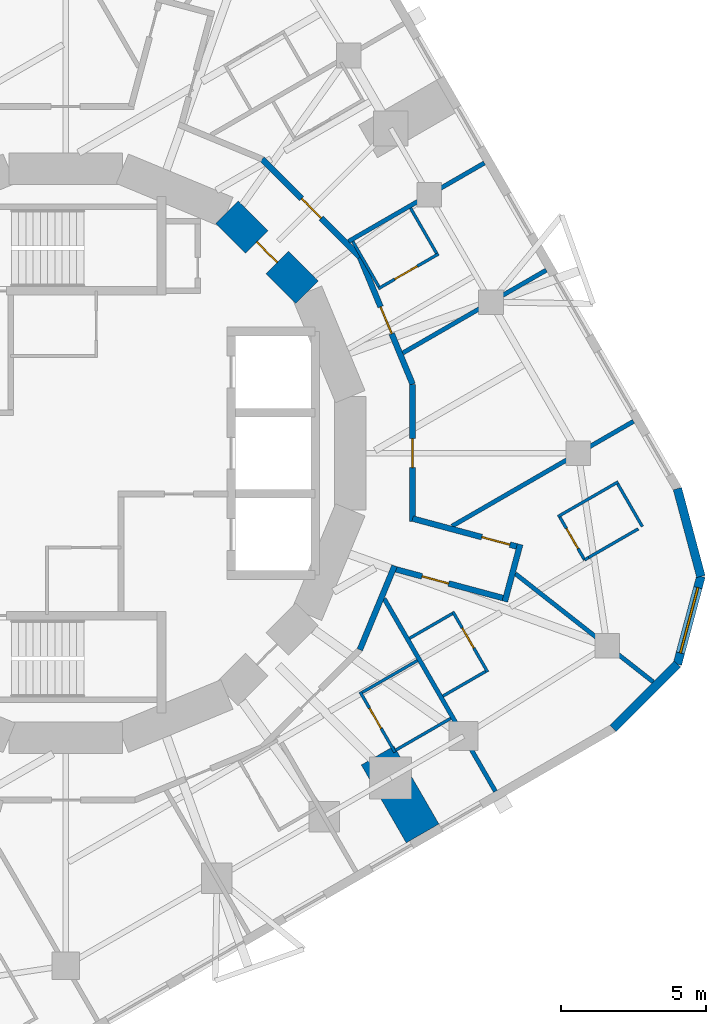
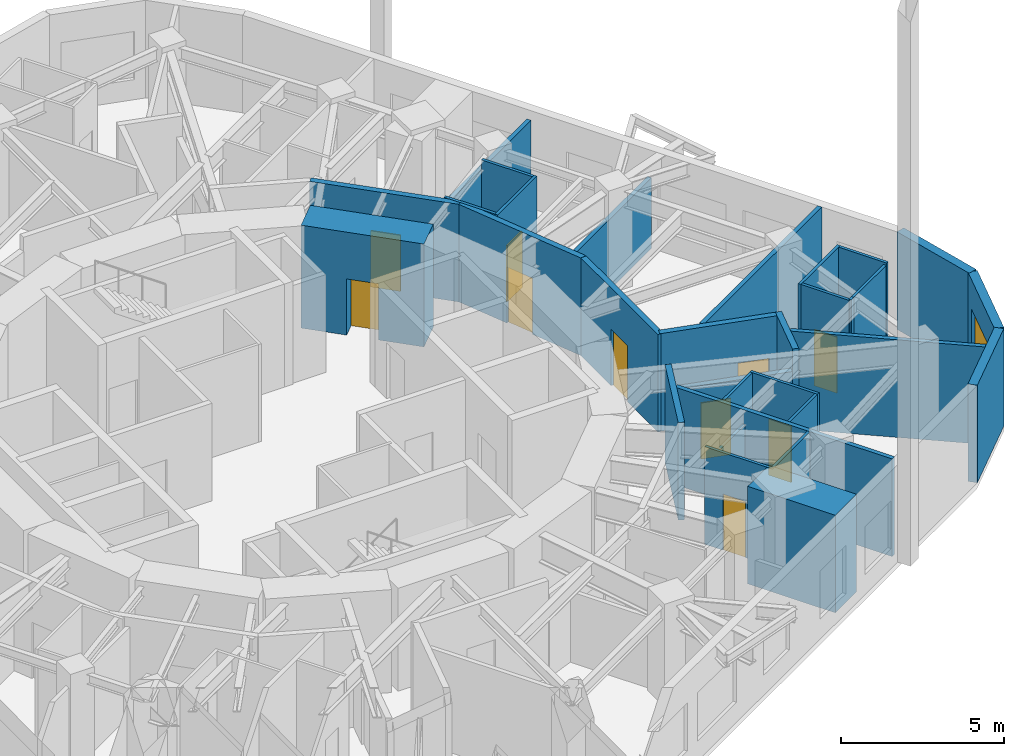
# One storey, part 7 of 10: 31 walls, 10 doors, 1 window, 11 openings.
"""IFC4 building model written with IfcOpenShell, lengths in metres."""

import ifcopenshell
import ifcopenshell.guid

model = None  # the IFC model being written
_history = None  # IfcOwnerHistory: only IFC2X3 demands one
_inside = {}  # id of a spatial element -> (the spatial element, [elements in it])
_under = {}  # id of a project, library or spatial element -> (it, [spatial elements below it])
_declared = {}  # id of a project -> (the project, [libraries it declares])
_typed = {}  # id of a type object -> (the type object, [elements of that type])
_made_of = {}  # id of a material, layer set ... -> (it, [elements and type objects made of it])


def new_model(schema):
    """Start an empty IFC model of exactly this schema.

    Asked for "IFC4X3", IfcOpenShell would pick the latest addendum, in which some entities
    have other attributes; the version numbers below select the first issue.
    IFC2X3 requires an IfcOwnerHistory on every rooted entity: one is made here for all.
    """
    global model, _history
    if schema == "IFC4X3":
        model = ifcopenshell.file(schema_version=(4, 3, 0, 0))
    else:
        model = ifcopenshell.file(schema=schema)
    _inside.clear()
    _under.clear()
    _declared.clear()
    _typed.clear()
    _made_of.clear()
    _history = None
    if model.schema == "IFC2X3":
        org = make("IfcOrganization", Name="unknown")
        user = make(
            "IfcPersonAndOrganization",
            ThePerson=make("IfcPerson", FamilyName="unknown"),
            TheOrganization=org,
        )
        app = make(
            "IfcApplication",
            ApplicationDeveloper=org,
            Version="unknown",
            ApplicationFullName="unknown",
            ApplicationIdentifier="unknown",
        )
        _history = make(
            "IfcOwnerHistory",
            OwningUser=user,
            OwningApplication=app,
            ChangeAction="ADDED",
            CreationDate=0,
        )
    return model


def make(cls, **values):
    """One entity of the class cls with the attributes given. An attribute that is None is left unset."""
    return model.create_entity(
        cls, **{name: value for name, value in values.items() if value is not None}
    )


def rooted(cls, **values):
    """An entity with a GlobalId (a new one), such as an element, a storey or a relation."""
    return make(cls, GlobalId=ifcopenshell.guid.new(), OwnerHistory=_history, **values)


def si_unit(unit_type, name, prefix=None):
    """IfcSIUnit, for example si_unit("LENGTHUNIT", "METRE", prefix="MILLI")."""
    return make("IfcSIUnit", UnitType=unit_type, Prefix=prefix, Name=name)


def assignment(units):
    """IfcUnitAssignment: the units of a project."""
    return None if units is None else make("IfcUnitAssignment", Units=units)


def point(xyz):
    """IfcCartesianPoint."""
    return None if xyz is None else make("IfcCartesianPoint", Coordinates=xyz)


def direction(xyz):
    """IfcDirection."""
    return None if xyz is None else make("IfcDirection", DirectionRatios=xyz)


def frame(location, z_axis=None, x_axis=None):
    """IfcAxis2Placement3D, a coordinate frame: its origin and axes. An axis left out is left unset."""
    return make(
        "IfcAxis2Placement3D",
        Location=point(location),
        Axis=direction(z_axis),
        RefDirection=direction(x_axis),
    )


def frame_2d(location, x_axis=None):
    """IfcAxis2Placement2D, a coordinate frame in the plane: its origin and x axis."""
    return make(
        "IfcAxis2Placement2D", Location=point(location), RefDirection=direction(x_axis)
    )


def origin():
    """The frame at (0, 0, 0) with its axes left unset."""
    return frame((0.0, 0.0, 0.0))


def place(relative_to, where):
    """IfcLocalPlacement: puts the frame where relative to a parent placement (None: the world)."""
    return make(
        "IfcLocalPlacement", PlacementRelTo=relative_to, RelativePlacement=where
    )


def context(
    kind, dimensions, precision=None, world=None, true_north=None, identifier=None
):
    """IfcGeometricRepresentationContext, for example the 3D "Model" context."""
    return make(
        "IfcGeometricRepresentationContext",
        ContextIdentifier=identifier,
        ContextType=kind,
        CoordinateSpaceDimension=dimensions,
        Precision=precision,
        WorldCoordinateSystem=world,
        TrueNorth=true_north,
    )


def subcontext(parent, identifier, kind, view, scale=None):
    """IfcGeometricRepresentationSubContext, for example "Body" below "Model"."""
    return make(
        "IfcGeometricRepresentationSubContext",
        ContextIdentifier=identifier,
        ContextType=kind,
        ParentContext=parent,
        TargetScale=scale,
        TargetView=view,
    )


def project(units=None, contexts=None):
    """IfcProject with its units and contexts."""
    return rooted(
        "IfcProject",
        Name="project",
        RepresentationContexts=contexts,
        UnitsInContext=assignment(units),
    )


def spatial(cls, under=None, at=None, **own):
    """A site, building, storey or space (cls), placed at a placement, below another one or the project."""
    s = rooted(cls, ObjectPlacement=at, **own)
    if under is not None:
        _under.setdefault(under.id(), (under, []))[1].append(s)
    return s


def profile(cls, at=None, kind="AREA", **sizes):
    """A parametric profile (cls). Its sizes go by their IFC names, for example OverallWidth=200.0."""
    return make(cls, ProfileType=kind, Position=at, **sizes)


def rectangle(**sizes):
    """IfcRectangleProfileDef."""
    return profile("IfcRectangleProfileDef", **sizes)


def extrude(swept, where, along, depth):
    """IfcExtrudedAreaSolid: the profile swept, set in the frame where, extruded along a direction by depth."""
    return make(
        "IfcExtrudedAreaSolid",
        SweptArea=swept,
        Position=where,
        ExtrudedDirection=direction(along),
        Depth=depth,
    )


def shape(context_of_items, identifier, shape_type, items):
    """IfcShapeRepresentation: the items that make up one representation, for example the "Body"."""
    return make(
        "IfcShapeRepresentation",
        ContextOfItems=context_of_items,
        RepresentationIdentifier=identifier,
        RepresentationType=shape_type,
        Items=items,
    )


def material(Name=None, Category=None):
    """IfcMaterial."""
    return make("IfcMaterial", Name=Name, Category=Category)


def layer(
    of_material, thickness, ventilated=None, Name=None, Category=None, Priority=None
):
    """IfcMaterialLayer: one layer of a wall or slab, of a material (None: an air gap)."""
    return make(
        "IfcMaterialLayer",
        Material=of_material,
        LayerThickness=thickness,
        IsVentilated=ventilated,
        Name=Name,
        Category=Category,
        Priority=Priority,
    )


def layer_set(layers, Name=None):
    """IfcMaterialLayerSet."""
    return make("IfcMaterialLayerSet", MaterialLayers=layers, LayerSetName=Name)


def made_of(thing, what):
    """Note that an element or type object is made of a material, layer set ...; save() writes the relation."""
    if what is not None:
        _made_of.setdefault(what.id(), (what, []))[1].append(thing)
    return thing


def type_object(cls, material=None, **own):
    """A type object (cls), such as IfcWallType, which elements share."""
    return made_of(rooted(cls, **own), material)


def element(
    cls,
    number,
    at=None,
    inside=None,
    cuts=None,
    type_object=None,
    material=None,
    context=None,
    identifier="Body",
    shape_type=None,
    held_by="IfcProductDefinitionShape",
    body=None,
    shapes=None,
    **own,
):
    """One element of the class cls, such as IfcWall. Its Tag is "e" and its number.

    at: its placement. inside: the storey or other place that contains it. cuts: it is an
    opening in that element (IfcRelVoidsElement). A single representation is given by context,
    identifier, shape_type and body (its items); several are given by shapes. held_by: the class
    of the entity that holds the representations. save() writes the other relations.
    """
    e = rooted(cls, Tag="e%d" % number, ObjectPlacement=at, **own)
    if body is not None:
        shapes = [shape(context, identifier, shape_type, body)]
    if shapes is not None:
        e.Representation = make(held_by, Representations=shapes)
    if inside is not None:
        _inside.setdefault(inside.id(), (inside, []))[1].append(e)
    if cuts is not None:
        rooted(
            "IfcRelVoidsElement", RelatingBuildingElement=cuts, RelatedOpeningElement=e
        )
    if type_object is not None:
        _typed.setdefault(type_object.id(), (type_object, []))[1].append(e)
    return made_of(e, material)


def fill(opening, filler):
    """IfcRelFillsElement: the door or window that sits in an opening."""
    return rooted(
        "IfcRelFillsElement",
        RelatingOpeningElement=opening,
        RelatedBuildingElement=filler,
    )


def aggregate(whole, parts):
    """IfcRelAggregates: a whole, such as a stair, and the parts it consists of."""
    return rooted("IfcRelAggregates", RelatingObject=whole, RelatedObjects=parts)


def save(model, path):
    """Write the relations noted so far, then the file.

    IfcRelAggregates (storeys below a building ...), IfcRelContainedInSpatialStructure (elements
    in a storey), IfcRelDefinesByType, IfcRelAssociatesMaterial and IfcRelDeclares: one each for
    every whole, place, type object, material and project.
    """
    for whole, parts in _under.values():
        aggregate(whole, parts)
    for where, things in _inside.values():
        rooted(
            "IfcRelContainedInSpatialStructure",
            RelatedElements=things,
            RelatingStructure=where,
        )
    for kind, things in _typed.values():
        rooted("IfcRelDefinesByType", RelatedObjects=things, RelatingType=kind)
    for what, things in _made_of.values():
        rooted("IfcRelAssociatesMaterial", RelatedObjects=things, RelatingMaterial=what)
    for by, libraries in _declared.values():
        rooted("IfcRelDeclares", RelatingContext=by, RelatedDefinitions=libraries)
    model.write(path)


model = new_model("IFC4")

# Units and contexts
model_context = context("Model", 3, precision=1e-05, world=origin(), true_north=direction((0.0, 1.0)))
body_context = subcontext(model_context, "Body", "Model", "MODEL_VIEW")
ifc_project = project(units=[si_unit("LENGTHUNIT", "METRE"), si_unit("AREAUNIT", "SQUARE_METRE"), si_unit("VOLUMEUNIT", "CUBIC_METRE"), si_unit("PLANEANGLEUNIT", "RADIAN"), si_unit("MASSUNIT", "GRAM", prefix="KILO")], contexts=[model_context])

# Site, building, storey
site_placement = place(None, origin())
site = spatial("IfcSite", under=ifc_project, at=site_placement, CompositionType="ELEMENT")
building_placement = place(site_placement, origin())
building = spatial("IfcBuilding", under=site, at=building_placement, Name="Nakasero Lantern House", CompositionType="ELEMENT")
storey_placement = place(building_placement, frame((0.0, 0.0, 223.10009765625)))
storey = spatial("IfcBuildingStorey", under=building, at=storey_placement, Name="L54", CompositionType="ELEMENT", Elevation=223.10009765625)

# Wall
ifc_material_1 = material(Name="Blockwork", Category="masonry")
ifc_layer_1 = layer(ifc_material_1, 1.300048828125)
ifc_layer_set_1 = layer_set([ifc_layer_1], Name="Column pier 1300")
wall_type_1 = type_object("IfcWallType", Name="Column pier 1300", PredefinedType="PARTITIONING", material=ifc_layer_set_1)
wall_1_placement = place(storey_placement, frame((10.75048828125, -10.4208984375, 0.0), z_axis=(0.0, 0.0, 1.0), x_axis=(0.499933790963, -0.866063626216, 0.0)))
element("IfcWall", 1, at=wall_1_placement, inside=storey, type_object=wall_type_1, Name="Column pier L54 PN3-05", PredefinedType="PARTITIONING", context=body_context, shape_type="SweptSolid", body=[
    extrude(rectangle(XDim=3.10009765625, YDim=1.300048828125, at=frame_2d((1.550048828125, 0.0))), origin(), (0.0, 0.0, 1.0), 3.64990234375),
])

# Wall, opening, door
ifc_material_2 = material(Name="Concrete C50/60", Category="concrete")
ifc_layer_2 = layer(ifc_material_2, 1.10009765625)
ifc_layer_set_2 = layer_set([ifc_layer_2], Name="Core wall 1100")
wall_type_2 = type_object("IfcWallType", Name="Core wall 1100", PredefinedType="SHEAR", material=ifc_layer_set_2)
wall_2_placement = place(storey_placement, frame((8.314697265625, 5.5556640625, 0.0), z_axis=(0.0, 0.0, 1.0), x_axis=(-0.707106781187, 0.707106781187, 0.0)))
wall_2 = element("IfcWall", 2, at=wall_2_placement, inside=storey, type_object=wall_type_2, Name="Core wall L54 facet 2", PredefinedType="SHEAR", context=body_context, shape_type="SweptSolid", body=[
    extrude(rectangle(XDim=3.90185546875, YDim=1.10009765625, at=frame_2d((1.950927734375, 0.0))), origin(), (0.0, 0.0, 1.0), 3.849853515625),
])
opening_1_placement = place(wall_2_placement, frame((1.450927734375, 0.0, 0.0)))
opening_1 = element("IfcOpeningElement", 3, at=opening_1_placement, cuts=wall_2, Name="Opening D05", PredefinedType="OPENING", context=body_context, shape_type="SweptSolid", body=[
    extrude(rectangle(XDim=1.0, YDim=2.10009765625, at=frame_2d((0.5, 1.050048828125))), frame((0.0, 0.570068359375, 0.0), z_axis=(0.0, -1.0, 0.0), x_axis=(1.0, 0.0, 0.0)), (0.0, 0.0, 1.0), 1.14013671875),
])
ifc_material_3 = material(Name="Timber C24", Category="wood")
door_type_1 = type_object("IfcDoorType", Name="Core door FD60S 1000", OperationType="SINGLE_SWING_LEFT", PredefinedType="DOOR", material=ifc_material_3)
door_1_placement = place(opening_1_placement, origin())
door_1 = element("IfcDoor", 4, at=door_1_placement, inside=storey, type_object=door_type_1, Name="Door L54 D-CORE02", OperationType="SINGLE_SWING_LEFT", OverallHeight=2.10009765625, OverallWidth=1.0, PredefinedType="DOOR", context=body_context, shape_type="SweptSolid", body=[
    extrude(rectangle(XDim=1.0, YDim=2.10009765625, at=frame_2d((0.5, 1.050048828125))), frame((0.0, 0.02490234375, 0.0), z_axis=(0.0, -1.0, 0.0), x_axis=(1.0, 0.0, 0.0)), (0.0, 0.0, 1.0), 0.050048828125),
])
fill(opening_1, door_1)

ifc_material_4 = material(Name="Blockwork", Category="masonry")
ifc_layer_3 = layer(ifc_material_4, 0.199951171875)
ifc_layer_set_3 = layer_set([ifc_layer_3], Name="Corridor wall 200")
wall_type_3 = type_object("IfcWallType", Name="Corridor wall 200", PredefinedType="PARTITIONING", material=ifc_layer_set_3)
wall_3_placement = place(storey_placement, frame((11.957763671875, 2.378662109375, 0.0), z_axis=(0.0, 0.0, 1.0), x_axis=(0.0, -1.0, 0.0)))
wall_3 = element("IfcWall", 5, at=wall_3_placement, inside=storey, type_object=wall_type_3, Name="Corridor wall L54 RC00a", PredefinedType="PARTITIONING", context=body_context, shape_type="SweptSolid", body=[
    extrude(rectangle(XDim=4.73388671875, YDim=0.199951171875, at=frame_2d((2.366943359375, 0.0))), origin(), (0.0, 0.0, 1.0), 3.64990234375),
])
opening_2_placement = place(wall_3_placement, frame((1.8701171875, 0.0, 0.0)))
opening_2 = element("IfcOpeningElement", 6, at=opening_2_placement, cuts=wall_3, Name="Opening D03", PredefinedType="OPENING", context=body_context, shape_type="SweptSolid", body=[
    extrude(rectangle(XDim=1.0, YDim=2.10009765625, at=frame_2d((0.5, 1.050048828125))), frame((0.0, 0.119873046875, 0.0), z_axis=(0.0, -1.0, 0.0), x_axis=(1.0, 0.0, 0.0)), (0.0, 0.0, 1.0), 0.239990234375),
])
ifc_material_5 = material(Name="Timber C24", Category="wood")
door_type_2 = type_object("IfcDoorType", Name="Lounge door FD30S 1000", OperationType="SINGLE_SWING_LEFT", PredefinedType="DOOR", material=ifc_material_5)
door_2_placement = place(opening_2_placement, origin())
door_2 = element("IfcDoor", 7, at=door_2_placement, inside=storey, type_object=door_type_2, Name="Door L54 DK0", OperationType="SINGLE_SWING_RIGHT", OverallHeight=2.10009765625, OverallWidth=1.0, PredefinedType="DOOR", context=body_context, shape_type="SweptSolid", body=[
    extrude(rectangle(XDim=1.0, YDim=2.10009765625, at=frame_2d((0.5, 1.050048828125))), frame((0.0, 0.02490234375, 0.0), z_axis=(0.0, -1.0, 0.0), x_axis=(1.0, 0.0, 0.0)), (0.0, 0.0, 1.0), 0.050048828125),
])
fill(opening_2, door_2)

# Wall
wall_4_placement = place(storey_placement, frame((11.33349609375, -3.8857421875, 0.0), z_axis=(0.0, 0.0, 1.0), x_axis=(-0.382634616682, -0.923899751118, 0.0)))
element("IfcWall", 8, at=wall_4_placement, inside=storey, type_object=wall_type_3, Name="Corridor wall L54 RC01a", PredefinedType="PARTITIONING", context=body_context, shape_type="SweptSolid", body=[
    extrude(rectangle(XDim=3.125732421875, YDim=0.199951171875, at=frame_2d((1.56298828125, 0.0))), origin(), (0.0, 0.0, 1.0), 3.64990234375),
])

# Wall, opening, door
wall_5_placement = place(storey_placement, frame((6.773681640625, 10.137451171875, 0.0), z_axis=(0.0, 0.0, 1.0), x_axis=(0.707106781187, -0.707106781187, 0.0)))
wall_5 = element("IfcWall", 9, at=wall_5_placement, inside=storey, type_object=wall_type_3, Name="Corridor wall L54 RC14a", PredefinedType="PARTITIONING", context=body_context, shape_type="SweptSolid", body=[
    extrude(rectangle(XDim=4.757080078125, YDim=0.199951171875, at=frame_2d((2.37841796875, 0.0))), origin(), (0.0, 0.0, 1.0), 3.64990234375),
])
opening_3_placement = place(wall_5_placement, frame((1.919921875, 0.0, 0.0)))
opening_3 = element("IfcOpeningElement", 10, at=opening_3_placement, cuts=wall_5, Name="Opening D01", PredefinedType="OPENING", context=body_context, shape_type="SweptSolid", body=[
    extrude(rectangle(XDim=0.949951171875, YDim=2.10009765625, at=frame_2d((0.47509765625, 1.050048828125))), frame((0.0, 0.119873046875, 0.0), z_axis=(0.0, -1.0, 0.0), x_axis=(1.0, 0.0, 0.0)), (0.0, 0.0, 1.0), 0.239990234375),
])
ifc_material_6 = material(Name="Timber C24", Category="wood")
door_type_3 = type_object("IfcDoorType", Name="Bedroom door FD30S 950", OperationType="SINGLE_SWING_LEFT", PredefinedType="DOOR", material=ifc_material_6)
door_3_placement = place(opening_3_placement, origin())
door_3 = element("IfcDoor", 11, at=door_3_placement, inside=storey, type_object=door_type_3, Name="Door L54 D0-04", OperationType="SINGLE_SWING_RIGHT", OverallHeight=2.10009765625, OverallWidth=0.949951171875, PredefinedType="DOOR", context=body_context, shape_type="SweptSolid", body=[
    extrude(rectangle(XDim=0.949951171875, YDim=2.10009765625, at=frame_2d((0.47509765625, 1.050048828125))), frame((0.0, 0.02490234375, 0.0), z_axis=(0.0, -1.0, 0.0), x_axis=(1.0, 0.0, 0.0)), (0.0, 0.0, 1.0), 0.050048828125),
])
fill(opening_3, door_3)

wall_6_placement = place(storey_placement, frame((10.137451171875, 6.773681640625, 0.0), z_axis=(0.0, 0.0, 1.0), x_axis=(0.382653970627, -0.923891735412, 0.0)))
wall_6 = element("IfcWall", 12, at=wall_6_placement, inside=storey, type_object=wall_type_3, Name="Corridor wall L54 RC15a", PredefinedType="PARTITIONING", context=body_context, shape_type="SweptSolid", body=[
    extrude(rectangle(XDim=4.757080078125, YDim=0.199951171875, at=frame_2d((2.37841796875, 0.0))), origin(), (0.0, 0.0, 1.0), 3.64990234375),
])
opening_4_placement = place(wall_6_placement, frame((1.8701171875, 0.0, 0.0)))
opening_4 = element("IfcOpeningElement", 13, at=opening_4_placement, cuts=wall_6, Name="Opening D07", PredefinedType="OPENING", context=body_context, shape_type="SweptSolid", body=[
    extrude(rectangle(XDim=1.0, YDim=2.10009765625, at=frame_2d((0.5, 1.050048828125))), frame((0.0, 0.119873046875, 0.0), z_axis=(0.0, -1.0, 0.0), x_axis=(1.0, 0.0, 0.0)), (0.0, 0.0, 1.0), 0.239990234375),
])
ifc_material_7 = material(Name="Timber C24", Category="wood")
door_type_4 = type_object("IfcDoorType", Name="Room door FD30S 1000", OperationType="SINGLE_SWING_LEFT", PredefinedType="DOOR", material=ifc_material_7)
door_4_placement = place(opening_4_placement, origin())
door_4 = element("IfcDoor", 14, at=door_4_placement, inside=storey, type_object=door_type_4, Name="Door L54 D0-03", OperationType="SINGLE_SWING_LEFT", OverallHeight=2.10009765625, OverallWidth=1.0, PredefinedType="DOOR", context=body_context, shape_type="SweptSolid", body=[
    extrude(rectangle(XDim=1.0, YDim=2.10009765625, at=frame_2d((0.5, 1.050048828125))), frame((0.0, 0.02490234375, 0.0), z_axis=(0.0, -1.0, 0.0), x_axis=(1.0, 0.0, 0.0)), (0.0, 0.0, 1.0), 0.050048828125),
])
fill(opening_4, door_4)

wall_7_placement = place(storey_placement, frame((11.294921875, -3.97900390625, 0.0), z_axis=(0.0, 0.0, 1.0), x_axis=(0.965936102951, -0.258780689033, 0.0)))
wall_7 = element("IfcWall", 15, at=wall_7_placement, inside=storey, type_object=wall_type_3, Name="Corridor wall L54 SP3a", PredefinedType="PARTITIONING", context=body_context, shape_type="SweptSolid", body=[
    extrude(rectangle(XDim=4.10400390625, YDim=0.199951171875, at=frame_2d((2.052001953125, 0.0))), origin(), (0.0, 0.0, 1.0), 2.80908203125),
])
opening_5_placement = place(wall_7_placement, frame((1.02001953125, 0.0, 0.0)))
opening_5 = element("IfcOpeningElement", 16, at=opening_5_placement, cuts=wall_7, Name="Opening D01", PredefinedType="OPENING", context=body_context, shape_type="SweptSolid", body=[
    extrude(rectangle(XDim=0.949951171875, YDim=2.10009765625, at=frame_2d((0.47509765625, 1.050048828125))), frame((0.0, 0.119873046875, 0.0), z_axis=(0.0, -1.0, 0.0), x_axis=(1.0, 0.0, 0.0)), (0.0, 0.0, 1.0), 0.239990234375),
])
door_5_placement = place(opening_5_placement, origin())
door_5 = element("IfcDoor", 17, at=door_5_placement, inside=storey, type_object=door_type_3, Name="Door L54 D3-06", OperationType="SINGLE_SWING_LEFT", OverallHeight=2.10009765625, OverallWidth=0.949951171875, PredefinedType="DOOR", context=body_context, shape_type="SweptSolid", body=[
    extrude(rectangle(XDim=0.949951171875, YDim=2.10009765625, at=frame_2d((0.47509765625, 1.050048828125))), frame((0.0, 0.02490234375, 0.0), z_axis=(0.0, -1.0, 0.0), x_axis=(1.0, 0.0, 0.0)), (0.0, 0.0, 1.0), 0.050048828125),
])
fill(opening_5, door_5)

wall_8_placement = place(storey_placement, frame((11.957763671875, -2.251708984375, 0.0), z_axis=(0.0, 0.0, 1.0), x_axis=(0.965925480671, -0.258820334962, 0.0)))
wall_8 = element("IfcWall", 18, at=wall_8_placement, inside=storey, type_object=wall_type_3, Name="Corridor wall L54 SP3b", PredefinedType="PARTITIONING", context=body_context, shape_type="SweptSolid", body=[
    extrude(rectangle(XDim=3.910888671875, YDim=0.199951171875, at=frame_2d((1.95556640625, 0.0))), origin(), (0.0, 0.0, 1.0), 3.64990234375),
])
opening_6_placement = place(wall_8_placement, frame((2.469970703125, 0.0, 0.0)))
opening_6 = element("IfcOpeningElement", 19, at=opening_6_placement, cuts=wall_8, Name="Opening D07", PredefinedType="OPENING", context=body_context, shape_type="SweptSolid", body=[
    extrude(rectangle(XDim=1.0, YDim=2.10009765625, at=frame_2d((0.5, 1.050048828125))), frame((0.0, 0.119873046875, 0.0), z_axis=(0.0, -1.0, 0.0), x_axis=(1.0, 0.0, 0.0)), (0.0, 0.0, 1.0), 0.239990234375),
])
door_6_placement = place(opening_6_placement, origin())
door_6 = element("IfcDoor", 20, at=door_6_placement, inside=storey, type_object=door_type_4, Name="Door L54 D0-00", OperationType="SINGLE_SWING_RIGHT", OverallHeight=2.10009765625, OverallWidth=1.0, PredefinedType="DOOR", context=body_context, shape_type="SweptSolid", body=[
    extrude(rectangle(XDim=1.0, YDim=2.10009765625, at=frame_2d((0.5, 1.050048828125))), frame((0.0, 0.02490234375, 0.0), z_axis=(0.0, -1.0, 0.0), x_axis=(1.0, 0.0, 0.0)), (0.0, 0.0, 1.0), 0.050048828125),
])
fill(opening_6, door_6)

# Walls
wall_9_placement = place(storey_placement, frame((15.136474609375, -5.11181640625, 0.0), z_axis=(0.0, 0.0, 1.0), x_axis=(0.258861706671, 0.965914394147, 0.0)))
element("IfcWall", 21, at=wall_9_placement, inside=storey, type_object=wall_type_3, Name="Corridor wall L54 SP3e", PredefinedType="PARTITIONING", context=body_context, shape_type="SweptSolid", body=[
    extrude(rectangle(XDim=2.0400390625, YDim=0.199951171875, at=frame_2d((1.02001953125, 0.0))), origin(), (0.0, 0.0, 1.0), 3.64990234375),
])
ifc_material_8 = material(Name="Blockwork", Category="masonry")
ifc_layer_4 = layer(ifc_material_8, 0.10009765625)
ifc_layer_set_4 = layer_set([ifc_layer_4], Name="En-suite wall 100")
wall_type_4 = type_object("IfcWallType", Name="En-suite wall 100", PredefinedType="PARTITIONING", material=ifc_layer_set_4)
wall_10_placement = place(storey_placement, frame((16.96533203125, -2.18505859375, 0.0), z_axis=(0.0, 0.0, 1.0), x_axis=(0.866050077142, 0.499957262057, 0.0)))
element("IfcWall", 22, at=wall_10_placement, inside=storey, type_object=wall_type_4, Name="En-suite wall L54 ES0-00", PredefinedType="PARTITIONING", context=body_context, shape_type="SweptSolid", body=[
    extrude(rectangle(XDim=2.400146484375, YDim=0.10009765625, at=frame_2d((1.2001953125, 0.0))), origin(), (0.0, 0.0, 1.0), 3.64990234375),
])
wall_11_placement = place(storey_placement, frame((19.87548828125, -2.525634765625, 0.0), z_axis=(0.0, 0.0, 1.0), x_axis=(-0.499892348375, 0.866087547558, 0.0)))
element("IfcWall", 23, at=wall_11_placement, inside=storey, type_object=wall_type_4, Name="En-suite wall L54 EE0-00", PredefinedType="PARTITIONING", context=body_context, shape_type="SweptSolid", body=[
    extrude(rectangle(XDim=1.699951171875, YDim=0.10009765625, at=frame_2d((0.85009765625, 0.0))), origin(), (0.0, 0.0, 1.0), 3.64990234375),
])

# Wall, opening, door
wall_12_placement = place(storey_placement, frame((17.8837890625, -3.675537109375, 0.0), z_axis=(0.0, 0.0, 1.0), x_axis=(-0.500062241894, 0.865989465428, 0.0)))
wall_12 = element("IfcWall", 24, at=wall_12_placement, inside=storey, type_object=wall_type_4, Name="En-suite wall L54 EI0-00", PredefinedType="PARTITIONING", context=body_context, shape_type="SweptSolid", body=[
    extrude(rectangle(XDim=1.699951171875, YDim=0.10009765625, at=frame_2d((0.85009765625, 0.0))), origin(), (0.0, 0.0, 1.0), 3.64990234375),
])
opening_7_placement = place(wall_12_placement, frame((0.449951171875, 0.0, 0.0)))
opening_7 = element("IfcOpeningElement", 25, at=opening_7_placement, cuts=wall_12, Name="Opening D15", PredefinedType="OPENING", context=body_context, shape_type="SweptSolid", body=[
    extrude(rectangle(XDim=0.800048828125, YDim=2.10009765625, at=frame_2d((0.39990234375, 1.050048828125))), frame((0.0, 0.070068359375, 0.0), z_axis=(0.0, -1.0, 0.0), x_axis=(1.0, 0.0, 0.0)), (0.0, 0.0, 1.0), 0.14013671875),
])
ifc_material_9 = material(Name="Timber C24", Category="wood")
door_type_5 = type_object("IfcDoorType", Name="Cleaner's store door FD30S 800", OperationType="SINGLE_SWING_LEFT", PredefinedType="DOOR", material=ifc_material_9)
door_7_placement = place(opening_7_placement, origin())
door_7 = element("IfcDoor", 26, at=door_7_placement, inside=storey, type_object=door_type_5, Name="Door L54 DE0-00", OperationType="SINGLE_SWING_RIGHT", OverallHeight=2.10009765625, OverallWidth=0.800048828125, PredefinedType="DOOR", context=body_context, shape_type="SweptSolid", body=[
    extrude(rectangle(XDim=0.800048828125, YDim=2.10009765625, at=frame_2d((0.39990234375, 1.050048828125))), frame((0.0, 0.02490234375, 0.0), z_axis=(0.0, -1.0, 0.0), x_axis=(1.0, 0.0, 0.0)), (0.0, 0.0, 1.0), 0.050048828125),
])
fill(opening_7, door_7)

wall_13_placement = place(storey_placement, frame((10.774658203125, 5.67333984375, 0.0), z_axis=(0.0, 0.0, 1.0), x_axis=(0.866024647952, 0.500001309137, 0.0)))
wall_13 = element("IfcWall", 27, at=wall_13_placement, inside=storey, type_object=wall_type_4, Name="En-suite wall L54 ES0-03", PredefinedType="PARTITIONING", context=body_context, shape_type="SweptSolid", body=[
    extrude(rectangle(XDim=2.39990234375, YDim=0.10009765625, at=frame_2d((1.199951171875, 0.0))), origin(), (0.0, 0.0, 1.0), 3.64990234375),
])
opening_8_placement = place(wall_13_placement, frame((0.64990234375, 0.0, 0.0)))
opening_8 = element("IfcOpeningElement", 28, at=opening_8_placement, cuts=wall_13, Name="Opening D16", PredefinedType="OPENING", context=body_context, shape_type="SweptSolid", body=[
    extrude(rectangle(XDim=0.89990234375, YDim=2.10009765625, at=frame_2d((0.449951171875, 1.050048828125))), frame((0.0, 0.070068359375, 0.0), z_axis=(0.0, -1.0, 0.0), x_axis=(1.0, 0.0, 0.0)), (0.0, 0.0, 1.0), 0.14013671875),
])
ifc_material_10 = material(Name="Timber C24", Category="wood")
door_type_6 = type_object("IfcDoorType", Name="Accessible WC door 900", OperationType="SINGLE_SWING_RIGHT", PredefinedType="DOOR", material=ifc_material_10)
door_8_placement = place(opening_8_placement, origin())
door_8 = element("IfcDoor", 29, at=door_8_placement, inside=storey, type_object=door_type_6, Name="Door L54 DE0-03", OperationType="SINGLE_SWING_LEFT", OverallHeight=2.10009765625, OverallWidth=0.89990234375, PredefinedType="DOOR", context=body_context, shape_type="SweptSolid", body=[
    extrude(rectangle(XDim=0.89990234375, YDim=2.10009765625, at=frame_2d((0.449951171875, 1.050048828125))), frame((0.0, 0.02490234375, 0.0), z_axis=(0.0, -1.0, 0.0), x_axis=(1.0, 0.0, 0.0)), (0.0, 0.0, 1.0), 0.050048828125),
])
fill(opening_8, door_8)

# Walls
for number, where, z_axis, x_axis, name in (
    (30, (12.784912109375, 6.8916015625, 0.0), (0.0, 0.0, 1.0), (-0.500062916607, 0.865989075817, 0.0), "En-suite wall L54 EE0-03"),
    (31, (10.79296875, 5.741455078125, 0.0), (0.0, 0.0, 1.0), (-0.499902469156, 0.866081705922, 0.0), "En-suite wall L54 EI0-03"),
):
    element("IfcWall", number, at=place(storey_placement, frame(where, z_axis=z_axis, x_axis=x_axis)), inside=storey, type_object=wall_type_4, Name=name, PredefinedType="PARTITIONING", context=body_context, shape_type="SweptSolid", body=[
        extrude(rectangle(XDim=1.800048828125, YDim=0.10009765625, at=frame_2d((0.89990234375, 0.0))), origin(), (0.0, 0.0, 1.0), 3.64990234375),
    ])

# Wall, opening, door
wall_14_placement = place(storey_placement, frame((10.148193359375, -8.228271484375, 0.0), z_axis=(0.0, 0.0, 1.0), x_axis=(0.499957262057, -0.866050077142, 0.0)))
wall_14 = element("IfcWall", 32, at=wall_14_placement, inside=storey, type_object=wall_type_4, Name="En-suite wall L54 ES3-04", PredefinedType="PARTITIONING", context=body_context, shape_type="SweptSolid", body=[
    extrude(rectangle(XDim=2.400146484375, YDim=0.10009765625, at=frame_2d((1.2001953125, 0.0))), origin(), (0.0, 0.0, 1.0), 3.64990234375),
])
opening_9_placement = place(wall_14_placement, frame((0.64990234375, 0.0, 0.0)))
opening_9 = element("IfcOpeningElement", 33, at=opening_9_placement, cuts=wall_14, Name="Opening D02", PredefinedType="OPENING", context=body_context, shape_type="SweptSolid", body=[
    extrude(rectangle(XDim=0.800048828125, YDim=2.10009765625, at=frame_2d((0.39990234375, 1.050048828125))), frame((0.0, 0.070068359375, 0.0), z_axis=(0.0, -1.0, 0.0), x_axis=(1.0, 0.0, 0.0)), (0.0, 0.0, 1.0), 0.14013671875),
])
ifc_material_11 = material(Name="Timber C24", Category="wood")
door_type_7 = type_object("IfcDoorType", Name="En-suite door 800", OperationType="SINGLE_SWING_RIGHT", PredefinedType="DOOR", material=ifc_material_11)
door_9_placement = place(opening_9_placement, origin())
door_9 = element("IfcDoor", 34, at=door_9_placement, inside=storey, type_object=door_type_7, Name="Door L54 DE3-04", OperationType="SINGLE_SWING_LEFT", OverallHeight=2.10009765625, OverallWidth=0.800048828125, PredefinedType="DOOR", context=body_context, shape_type="SweptSolid", body=[
    extrude(rectangle(XDim=0.800048828125, YDim=2.10009765625, at=frame_2d((0.39990234375, 1.050048828125))), frame((0.0, 0.02490234375, 0.0), z_axis=(0.0, -1.0, 0.0), x_axis=(1.0, 0.0, 0.0)), (0.0, 0.0, 1.0), 0.050048828125),
])
fill(opening_9, door_9)

# Walls
wall_15_placement = place(storey_placement, frame((11.366455078125, -10.238525390625, 0.0), z_axis=(0.0, 0.0, 1.0), x_axis=(0.866008176907, 0.50002983664, 0.0)))
element("IfcWall", 35, at=wall_15_placement, inside=storey, type_object=wall_type_4, Name="En-suite wall L54 EE3-04", PredefinedType="PARTITIONING", context=body_context, shape_type="SweptSolid", body=[
    extrude(rectangle(XDim=2.199951171875, YDim=0.10009765625, at=frame_2d((1.10009765625, 0.0))), origin(), (0.0, 0.0, 1.0), 3.64990234375),
])
wall_16_placement = place(storey_placement, frame((10.216552734375, -8.24658203125, 0.0), z_axis=(0.0, 0.0, 1.0), x_axis=(0.866028486751, 0.499994660107, 0.0)))
element("IfcWall", 36, at=wall_16_placement, inside=storey, type_object=wall_type_4, Name="En-suite wall L54 EI3-04", PredefinedType="PARTITIONING", context=body_context, shape_type="SweptSolid", body=[
    extrude(rectangle(XDim=2.19970703125, YDim=0.10009765625, at=frame_2d((1.099853515625, 0.0))), origin(), (0.0, 0.0, 1.0), 3.11328125),
])

# Wall, opening, door
wall_17_placement = place(storey_placement, frame((13.342041015625, -5.46044921875, 0.0), z_axis=(0.0, 0.0, 1.0), x_axis=(0.500033551112, -0.866006032174, 0.0)))
wall_17 = element("IfcWall", 37, at=wall_17_placement, inside=storey, type_object=wall_type_4, Name="En-suite wall L54 ES3-06", PredefinedType="PARTITIONING", context=body_context, shape_type="SweptSolid", body=[
    extrude(rectangle(XDim=2.400146484375, YDim=0.10009765625, at=frame_2d((1.2001953125, 0.0))), origin(), (0.0, 0.0, 1.0), 3.64990234375),
])
opening_10_placement = place(wall_17_placement, frame((0.64990234375, 0.0, 0.0)))
opening_10 = element("IfcOpeningElement", 38, at=opening_10_placement, cuts=wall_17, Name="Opening D02", PredefinedType="OPENING", context=body_context, shape_type="SweptSolid", body=[
    extrude(rectangle(XDim=0.800048828125, YDim=2.10009765625, at=frame_2d((0.39990234375, 1.050048828125))), frame((0.0, 0.070068359375, 0.0), z_axis=(0.0, -1.0, 0.0), x_axis=(1.0, 0.0, 0.0)), (0.0, 0.0, 1.0), 0.14013671875),
])
door_10_placement = place(opening_10_placement, origin())
door_10 = element("IfcDoor", 39, at=door_10_placement, inside=storey, type_object=door_type_7, Name="Door L54 DE3-06", OperationType="SINGLE_SWING_LEFT", OverallHeight=2.10009765625, OverallWidth=0.800048828125, PredefinedType="DOOR", context=body_context, shape_type="SweptSolid", body=[
    extrude(rectangle(XDim=0.800048828125, YDim=2.10009765625, at=frame_2d((0.39990234375, 1.050048828125))), frame((0.0, 0.02490234375, 0.0), z_axis=(0.0, -1.0, 0.0), x_axis=(1.0, 0.0, 0.0)), (0.0, 0.0, 1.0), 0.050048828125),
])
fill(opening_10, door_10)

# Walls
for number, where, z_axis, x_axis, name in (
    (40, (13.001708984375, -8.37060546875, 0.0), (0.0, 0.0, 1.0), (0.86605165483, 0.499954529098, 0.0), "En-suite wall L54 EE3-06"),
    (41, (11.8515625, -6.37890625, 0.0), (0.0, 0.0, 1.0), (0.865989465428, 0.500062241894, 0.0), "En-suite wall L54 EI3-06"),
):
    element("IfcWall", number, at=place(storey_placement, frame(where, z_axis=z_axis, x_axis=x_axis)), inside=storey, type_object=wall_type_4, Name=name, PredefinedType="PARTITIONING", context=body_context, shape_type="SweptSolid", body=[
        extrude(rectangle(XDim=1.699951171875, YDim=0.10009765625, at=frame_2d((0.85009765625, 0.0))), origin(), (0.0, 0.0, 1.0), 3.64990234375),
    ])
wall_18_placement = place(storey_placement, frame((18.022216796875, -3.595458984375, 0.0), z_axis=(0.0, 0.0, 1.0), x_axis=(0.866041862775, 0.499971491109, 0.0)))
element("IfcWall", 42, at=wall_18_placement, inside=storey, type_object=wall_type_4, Name="En-suite wall L54 EX000", PredefinedType="PARTITIONING", context=body_context, shape_type="SweptSolid", body=[
    extrude(rectangle(XDim=1.97998046875, YDim=0.10009765625, at=frame_2d((0.989990234375, 0.0))), origin(), (0.0, 0.0, 1.0), 3.64990234375),
])
wall_19_placement = place(storey_placement, frame((17.8837890625, -3.675537109375, 0.0), z_axis=(0.0, 0.0, 1.0), x_axis=(0.865600433939, 0.500735348028, 0.0)))
element("IfcWall", 43, at=wall_19_placement, inside=storey, type_object=wall_type_4, Name="En-suite wall L54 EI0-00R0", PredefinedType="PARTITIONING", context=body_context, shape_type="SweptSolid", body=[
    extrude(rectangle(XDim=0.159912109375, YDim=0.10009765625, at=frame_2d((0.080078125, 0.0))), origin(), (0.0, 0.0, 1.0), 3.64990234375),
])
ifc_material_12 = material(Name="Aluminium rainscreen on blockwork", Category="masonry")
ifc_layer_5 = layer(ifc_material_12, 0.300048828125)
ifc_layer_set_5 = layer_set([ifc_layer_5], Name="Facade wall 300")
wall_type_5 = type_object("IfcWallType", Name="Facade wall 300", PredefinedType="SOLIDWALL", material=ifc_layer_set_5)
wall_20_placement = place(storey_placement, frame((18.870849609375, -9.4853515625, 0.0), z_axis=(0.0, 0.0, 1.0), x_axis=(0.707145758492, 0.707067801733, 0.0)))
element("IfcWall", 44, at=wall_20_placement, inside=storey, type_object=wall_type_5, Name="Facade wall L54 FW3C1", PredefinedType="SOLIDWALL", context=body_context, shape_type="SweptSolid", body=[
    extrude(rectangle(XDim=3.1318359375, YDim=0.300048828125, at=frame_2d((1.56591796875, 0.0))), origin(), (0.0, 0.0, 1.0), 3.64990234375),
])

# Wall, opening, window
wall_21_placement = place(storey_placement, frame((21.08544921875, -7.27099609375, 0.0), z_axis=(0.0, 0.0, 1.0), x_axis=(0.258807521156, 0.965928914048, 0.0)))
wall_21 = element("IfcWall", 45, at=wall_21_placement, inside=storey, type_object=wall_type_5, Name="Facade wall L54 FW3C2", PredefinedType="SOLIDWALL", context=body_context, shape_type="SweptSolid", body=[
    extrude(rectangle(XDim=3.1318359375, YDim=0.300048828125, at=frame_2d((1.56591796875, 0.0))), origin(), (0.0, 0.0, 1.0), 3.64990234375),
])
opening_11_placement = place(wall_21_placement, frame((0.39990234375, 0.0, 0.75)))
opening_11 = element("IfcOpeningElement", 46, at=opening_11_placement, cuts=wall_21, Name="Opening W223", PredefinedType="OPENING", context=body_context, shape_type="SweptSolid", body=[
    extrude(rectangle(XDim=2.33203125, YDim=1.800048828125, at=frame_2d((1.166015625, 0.89990234375))), frame((0.0, 0.169921875, 0.0), z_axis=(0.0, -1.0, 0.0), x_axis=(1.0, 0.0, 0.0)), (0.0, 0.0, 1.0), 0.340087890625),
])
ifc_material_13 = material(Name="Aluminium 6063-T6 and glass", Category="aluminium")
window_type = type_object("IfcWindowType", Name="Corner window 2332x1800", PartitioningType="SINGLE_PANEL", PredefinedType="WINDOW", material=ifc_material_13)
window_placement = place(opening_11_placement, origin())
window = element("IfcWindow", 47, at=window_placement, inside=storey, type_object=window_type, Name="Window L54 WC3", OverallHeight=1.800048828125, OverallWidth=2.33203125, PartitioningType="SINGLE_PANEL", PredefinedType="WINDOW", context=body_context, shape_type="SweptSolid", body=[
    extrude(rectangle(XDim=2.33203125, YDim=1.800048828125, at=frame_2d((1.166015625, 0.89990234375))), frame((0.0, 0.030029296875, 0.0), z_axis=(0.0, -1.0, 0.0), x_axis=(1.0, 0.0, 0.0)), (0.0, 0.0, 1.0), 0.06005859375),
])
fill(opening_11, window)

# Walls
wall_22_placement = place(storey_placement, frame((21.89599609375, -4.245849609375, 0.0), z_axis=(0.0, 0.0, 1.0), x_axis=(-0.258827010283, 0.96592369199, 0.0)))
element("IfcWall", 48, at=wall_22_placement, inside=storey, type_object=wall_type_5, Name="Facade wall L54 FW3C3", PredefinedType="SOLIDWALL", context=body_context, shape_type="SweptSolid", body=[
    extrude(rectangle(XDim=3.131591796875, YDim=0.300048828125, at=frame_2d((1.56591796875, 0.0))), origin(), (0.0, 0.0, 1.0), 3.64990234375),
])
ifc_material_14 = material(Name="Blockwork", Category="masonry")
ifc_layer_6 = layer(ifc_material_14, 0.14990234375)
ifc_layer_set_6 = layer_set([ifc_layer_6], Name="Party wall 150")
wall_type_6 = type_object("IfcWallType", Name="Party wall 150", PredefinedType="PARTITIONING", material=ifc_layer_set_6)
wall_23_placement = place(storey_placement, frame((13.31591796875, -2.511962890625, 0.0), z_axis=(0.0, 0.0, 1.0), x_axis=(0.866028008531, 0.499995488419, 0.0)))
element("IfcWall", 49, at=wall_23_placement, inside=storey, type_object=wall_type_6, Name="Party wall L54 PW0-01", PredefinedType="PARTITIONING", context=body_context, shape_type="SweptSolid", body=[
    extrude(rectangle(XDim=7.22412109375, YDim=0.14990234375, at=frame_2d((3.612060546875, 0.0))), origin(), (0.0, 0.0, 1.0), 3.64990234375),
])
wall_24_placement = place(storey_placement, frame((11.619140625, 3.457275390625, 0.0), z_axis=(0.0, 0.0, 1.0), x_axis=(0.866023927955, 0.500002556202, 0.0)))
element("IfcWall", 50, at=wall_24_placement, inside=storey, type_object=wall_type_6, Name="Party wall L54 PW0-03", PredefinedType="PARTITIONING", context=body_context, shape_type="SweptSolid", body=[
    extrude(rectangle(XDim=5.708984375, YDim=0.14990234375, at=frame_2d((2.8544921875, 0.0))), origin(), (0.0, 0.0, 1.0), 2.641845703125),
])
wall_25_placement = place(storey_placement, frame((9.748779296875, 7.3037109375, 0.0), z_axis=(0.0, 0.0, 1.0), x_axis=(0.86600807666, 0.500030010259, 0.0)))
element("IfcWall", 51, at=wall_25_placement, inside=storey, type_object=wall_type_6, Name="Party wall L54 PW0-04", PredefinedType="PARTITIONING", context=body_context, shape_type="SweptSolid", body=[
    extrude(rectangle(XDim=5.405517578125, YDim=0.14990234375, at=frame_2d((2.70263671875, 0.0))), origin(), (0.0, 0.0, 1.0), 3.294921875),
])
wall_26_placement = place(storey_placement, frame((10.9755859375, -5.011474609375, 0.0), z_axis=(0.0, 0.0, 1.0), x_axis=(0.499985976588, -0.866033500054, 0.0)))
element("IfcWall", 52, at=wall_26_placement, inside=storey, type_object=wall_type_6, Name="Party wall L54 PW3-06", PredefinedType="PARTITIONING", context=body_context, shape_type="SweptSolid", body=[
    extrude(rectangle(XDim=7.672119140625, YDim=0.14990234375, at=frame_2d((3.8359375, 0.0))), origin(), (0.0, 0.0, 1.0), 3.64990234375),
])
wall_27_placement = place(storey_placement, frame((15.4970703125, -4.15234375, 0.0), z_axis=(0.0, 0.0, 1.0), x_axis=(0.786724579446, -0.617304168215, 0.0)))
element("IfcWall", 53, at=wall_27_placement, inside=storey, type_object=wall_type_6, Name="Party wall L54 PW0-00", PredefinedType="PARTITIONING", context=body_context, shape_type="SweptSolid", body=[
    extrude(rectangle(XDim=6.045166015625, YDim=0.14990234375, at=frame_2d((3.0224609375, 0.0))), origin(), (0.0, 0.0, 1.0), 3.64990234375),
])

save(model, "model.ifc")
